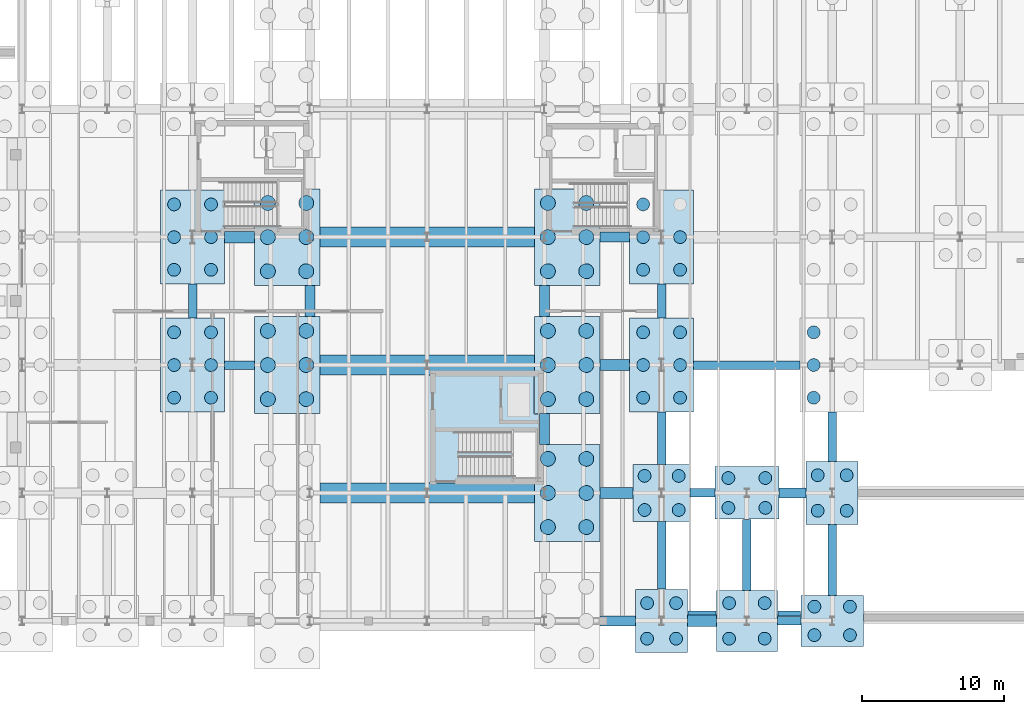
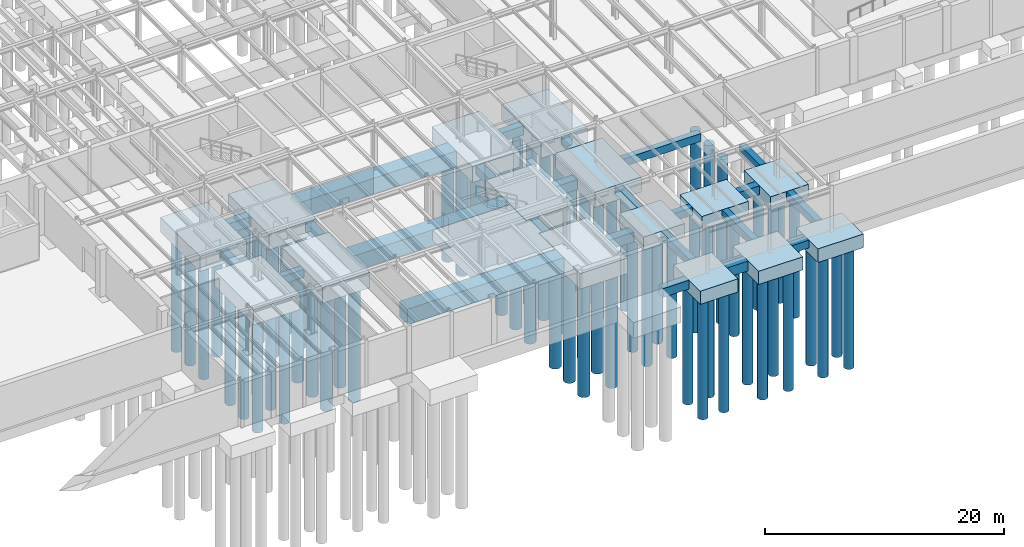
# One storey, part 3 of 59: 80 piles, 42 footings.
"""IFC4 building model written with IfcOpenShell, lengths in metres."""

import ifcopenshell
import ifcopenshell.guid

model = None  # the IFC model being written
_history = None  # IfcOwnerHistory: only IFC2X3 demands one
_inside = {}  # id of a spatial element -> (the spatial element, [elements in it])
_under = {}  # id of a project, library or spatial element -> (it, [spatial elements below it])
_declared = {}  # id of a project -> (the project, [libraries it declares])
_typed = {}  # id of a type object -> (the type object, [elements of that type])
_made_of = {}  # id of a material, layer set ... -> (it, [elements and type objects made of it])


def new_model(schema):
    """Start an empty IFC model of exactly this schema.

    Asked for "IFC4X3", IfcOpenShell would pick the latest addendum, in which some entities
    have other attributes; the version numbers below select the first issue.
    IFC2X3 requires an IfcOwnerHistory on every rooted entity: one is made here for all.
    """
    global model, _history
    if schema == "IFC4X3":
        model = ifcopenshell.file(schema_version=(4, 3, 0, 0))
    else:
        model = ifcopenshell.file(schema=schema)
    _inside.clear()
    _under.clear()
    _declared.clear()
    _typed.clear()
    _made_of.clear()
    _history = None
    if model.schema == "IFC2X3":
        org = make("IfcOrganization", Name="unknown")
        user = make(
            "IfcPersonAndOrganization",
            ThePerson=make("IfcPerson", FamilyName="unknown"),
            TheOrganization=org,
        )
        app = make(
            "IfcApplication",
            ApplicationDeveloper=org,
            Version="unknown",
            ApplicationFullName="unknown",
            ApplicationIdentifier="unknown",
        )
        _history = make(
            "IfcOwnerHistory",
            OwningUser=user,
            OwningApplication=app,
            ChangeAction="ADDED",
            CreationDate=0,
        )
    return model


def make(cls, **values):
    """One entity of the class cls with the attributes given. An attribute that is None is left unset."""
    return model.create_entity(
        cls, **{name: value for name, value in values.items() if value is not None}
    )


def rooted(cls, **values):
    """An entity with a GlobalId (a new one), such as an element, a storey or a relation."""
    return make(cls, GlobalId=ifcopenshell.guid.new(), OwnerHistory=_history, **values)


def si_unit(unit_type, name, prefix=None):
    """IfcSIUnit, for example si_unit("LENGTHUNIT", "METRE", prefix="MILLI")."""
    return make("IfcSIUnit", UnitType=unit_type, Prefix=prefix, Name=name)


def assignment(units):
    """IfcUnitAssignment: the units of a project."""
    return None if units is None else make("IfcUnitAssignment", Units=units)


def point(xyz):
    """IfcCartesianPoint."""
    return None if xyz is None else make("IfcCartesianPoint", Coordinates=xyz)


def direction(xyz):
    """IfcDirection."""
    return None if xyz is None else make("IfcDirection", DirectionRatios=xyz)


def frame(location, z_axis=None, x_axis=None):
    """IfcAxis2Placement3D, a coordinate frame: its origin and axes. An axis left out is left unset."""
    return make(
        "IfcAxis2Placement3D",
        Location=point(location),
        Axis=direction(z_axis),
        RefDirection=direction(x_axis),
    )


def frame_2d(location, x_axis=None):
    """IfcAxis2Placement2D, a coordinate frame in the plane: its origin and x axis."""
    return make(
        "IfcAxis2Placement2D", Location=point(location), RefDirection=direction(x_axis)
    )


def origin():
    """The frame at (0, 0, 0) with its axes left unset."""
    return frame((0.0, 0.0, 0.0))


def origin_2d():
    """The frame at (0, 0) in the plane with its x axis left unset."""
    return frame_2d((0.0, 0.0))


def place(relative_to, where):
    """IfcLocalPlacement: puts the frame where relative to a parent placement (None: the world)."""
    return make(
        "IfcLocalPlacement", PlacementRelTo=relative_to, RelativePlacement=where
    )


def context(
    kind, dimensions, precision=None, world=None, true_north=None, identifier=None
):
    """IfcGeometricRepresentationContext, for example the 3D "Model" context."""
    return make(
        "IfcGeometricRepresentationContext",
        ContextIdentifier=identifier,
        ContextType=kind,
        CoordinateSpaceDimension=dimensions,
        Precision=precision,
        WorldCoordinateSystem=world,
        TrueNorth=true_north,
    )


def subcontext(parent, identifier, kind, view, scale=None):
    """IfcGeometricRepresentationSubContext, for example "Body" below "Model"."""
    return make(
        "IfcGeometricRepresentationSubContext",
        ContextIdentifier=identifier,
        ContextType=kind,
        ParentContext=parent,
        TargetScale=scale,
        TargetView=view,
    )


def project(units=None, contexts=None):
    """IfcProject with its units and contexts."""
    return rooted(
        "IfcProject",
        Name="project",
        RepresentationContexts=contexts,
        UnitsInContext=assignment(units),
    )


def spatial(cls, under=None, at=None, **own):
    """A site, building, storey or space (cls), placed at a placement, below another one or the project."""
    s = rooted(cls, ObjectPlacement=at, **own)
    if under is not None:
        _under.setdefault(under.id(), (under, []))[1].append(s)
    return s


def polyline(points):
    """IfcPolyline through the points."""
    return make("IfcPolyline", Points=[point(p) for p in points])


def profile(cls, at=None, kind="AREA", **sizes):
    """A parametric profile (cls). Its sizes go by their IFC names, for example OverallWidth=200.0."""
    return make(cls, ProfileType=kind, Position=at, **sizes)


def rectangle(**sizes):
    """IfcRectangleProfileDef."""
    return profile("IfcRectangleProfileDef", **sizes)


def circle(**sizes):
    """IfcCircleProfileDef."""
    return profile("IfcCircleProfileDef", **sizes)


def outline(outer, holes=None, kind="AREA"):
    """IfcArbitraryClosedProfileDef: a profile drawn as a closed curve; with holes, ...WithVoids."""
    if holes is None:
        return make("IfcArbitraryClosedProfileDef", ProfileType=kind, OuterCurve=outer)
    return make(
        "IfcArbitraryProfileDefWithVoids",
        ProfileType=kind,
        OuterCurve=outer,
        InnerCurves=holes,
    )


def extrude(swept, where, along, depth):
    """IfcExtrudedAreaSolid: the profile swept, set in the frame where, extruded along a direction by depth."""
    return make(
        "IfcExtrudedAreaSolid",
        SweptArea=swept,
        Position=where,
        ExtrudedDirection=direction(along),
        Depth=depth,
    )


def shape(context_of_items, identifier, shape_type, items):
    """IfcShapeRepresentation: the items that make up one representation, for example the "Body"."""
    return make(
        "IfcShapeRepresentation",
        ContextOfItems=context_of_items,
        RepresentationIdentifier=identifier,
        RepresentationType=shape_type,
        Items=items,
    )


def material(Name=None, Category=None):
    """IfcMaterial."""
    return make("IfcMaterial", Name=Name, Category=Category)


def material_profile(
    of_material, cross_section, Name=None, Category=None, Priority=None
):
    """IfcMaterialProfile: a cross section and its material."""
    return make(
        "IfcMaterialProfile",
        Name=Name,
        Material=of_material,
        Profile=cross_section,
        Priority=Priority,
        Category=Category,
    )


def profile_set(profiles, Name=None, composite=None):
    """IfcMaterialProfileSet."""
    return make(
        "IfcMaterialProfileSet",
        Name=Name,
        MaterialProfiles=profiles,
        CompositeProfile=composite,
    )


def made_of(thing, what):
    """Note that an element or type object is made of a material, layer set ...; save() writes the relation."""
    if what is not None:
        _made_of.setdefault(what.id(), (what, []))[1].append(thing)
    return thing


def type_object(cls, material=None, **own):
    """A type object (cls), such as IfcWallType, which elements share."""
    return made_of(rooted(cls, **own), material)


def element(
    cls,
    number,
    at=None,
    inside=None,
    cuts=None,
    type_object=None,
    material=None,
    context=None,
    identifier="Body",
    shape_type=None,
    held_by="IfcProductDefinitionShape",
    body=None,
    shapes=None,
    **own,
):
    """One element of the class cls, such as IfcWall. Its Tag is "e" and its number.

    at: its placement. inside: the storey or other place that contains it. cuts: it is an
    opening in that element (IfcRelVoidsElement). A single representation is given by context,
    identifier, shape_type and body (its items); several are given by shapes. held_by: the class
    of the entity that holds the representations. save() writes the other relations.
    """
    e = rooted(cls, Tag="e%d" % number, ObjectPlacement=at, **own)
    if body is not None:
        shapes = [shape(context, identifier, shape_type, body)]
    if shapes is not None:
        e.Representation = make(held_by, Representations=shapes)
    if inside is not None:
        _inside.setdefault(inside.id(), (inside, []))[1].append(e)
    if cuts is not None:
        rooted(
            "IfcRelVoidsElement", RelatingBuildingElement=cuts, RelatedOpeningElement=e
        )
    if type_object is not None:
        _typed.setdefault(type_object.id(), (type_object, []))[1].append(e)
    return made_of(e, material)


def aggregate(whole, parts):
    """IfcRelAggregates: a whole, such as a stair, and the parts it consists of."""
    return rooted("IfcRelAggregates", RelatingObject=whole, RelatedObjects=parts)


def save(model, path):
    """Write the relations noted so far, then the file.

    IfcRelAggregates (storeys below a building ...), IfcRelContainedInSpatialStructure (elements
    in a storey), IfcRelDefinesByType, IfcRelAssociatesMaterial and IfcRelDeclares: one each for
    every whole, place, type object, material and project.
    """
    for whole, parts in _under.values():
        aggregate(whole, parts)
    for where, things in _inside.values():
        rooted(
            "IfcRelContainedInSpatialStructure",
            RelatedElements=things,
            RelatingStructure=where,
        )
    for kind, things in _typed.values():
        rooted("IfcRelDefinesByType", RelatedObjects=things, RelatingType=kind)
    for what, things in _made_of.values():
        rooted("IfcRelAssociatesMaterial", RelatedObjects=things, RelatingMaterial=what)
    for by, libraries in _declared.values():
        rooted("IfcRelDeclares", RelatingContext=by, RelatedDefinitions=libraries)
    model.write(path)


model = new_model("IFC4")

# Units and contexts
model_context = context("Model", 3, precision=1e-05, world=origin(), true_north=direction((0.0, 1.0)))
body_context = subcontext(model_context, "Body", "Model", "MODEL_VIEW")
ifc_project = project(units=[si_unit("LENGTHUNIT", "METRE"), si_unit("AREAUNIT", "SQUARE_METRE"), si_unit("VOLUMEUNIT", "CUBIC_METRE"), si_unit("PLANEANGLEUNIT", "RADIAN"), si_unit("MASSUNIT", "GRAM", prefix="KILO")], contexts=[model_context])

# Site, building, storey
site_placement = place(None, origin())
site = spatial("IfcSite", under=ifc_project, at=site_placement, CompositionType="ELEMENT")
building_placement = place(site_placement, origin())
building = spatial("IfcBuilding", under=site, at=building_placement, Name="Montealbar Specialist Clinic", CompositionType="ELEMENT")
storey_placement = place(building_placement, frame((0.0, 0.0, -4.800048828125)))
storey = spatial("IfcBuildingStorey", under=building, at=storey_placement, Name="B01", CompositionType="ELEMENT", Elevation=-4.800048828125)

# Footings
ifc_material = material(Name="Concrete C35/45", Category="concrete")
footing_type_1 = type_object("IfcFootingType", Name="FB-METRO-1400x1600", PredefinedType="FOOTING_BEAM", material=ifc_material)
footing_1_placement = place(storey_placement, frame((0.0, 0.0, -2.050048828125)))
element("IfcFooting", 1, at=footing_1_placement, inside=storey, type_object=footing_type_1, Name="Foundation Ground Beam FBX-750-900-90", PredefinedType="FOOTING_BEAM", context=body_context, shape_type="SweptSolid", body=[
    extrude(outline(polyline([(74.949951171875, 8.300048828125), (90.050048828125, 8.300048828125), (90.050048828125, 9.699951171875), (74.949951171875, 9.699951171875), (74.949951171875, 8.300048828125)])), origin(), (0.0, 0.0, 1.0), 1.60009765625),
])
footing_2_placement = place(storey_placement, frame((0.0, 0.0, -2.050048828125)))
element("IfcFooting", 2, at=footing_2_placement, inside=storey, type_object=footing_type_1, Name="Foundation Ground Beam FBX-750-900-180", PredefinedType="FOOTING_BEAM", context=body_context, shape_type="SweptSolid", body=[
    extrude(outline(polyline([(74.949951171875, 17.300048828125), (90.050048828125, 17.300048828125), (90.050048828125, 18.699951171875), (74.949951171875, 18.699951171875), (74.949951171875, 17.300048828125)])), origin(), (0.0, 0.0, 1.0), 1.60009765625),
])
footing_3_placement = place(storey_placement, frame((0.0, 0.0, -2.050048828125)))
element("IfcFooting", 3, at=footing_3_placement, inside=storey, type_object=footing_type_1, Name="Foundation Ground Beam FBX-750-900-270", PredefinedType="FOOTING_BEAM", context=body_context, shape_type="SweptSolid", body=[
    extrude(outline(polyline([(74.949951171875, 26.300048828125), (90.050048828125, 26.300048828125), (90.050048828125, 27.699951171875), (74.949951171875, 27.699951171875), (74.949951171875, 26.300048828125)])), origin(), (0.0, 0.0, 1.0), 1.60009765625),
])
footing_type_2 = type_object("IfcFootingType", Name="FB-TIE-600x800", PredefinedType="FOOTING_BEAM", material=ifc_material)
footing_4_placement = place(storey_placement, frame((0.0, 0.0, -0.800048828125)))
element("IfcFooting", 4, at=footing_4_placement, inside=storey, type_object=footing_type_2, Name="Foundation Ground Beam FBX-1072-1088-0", PredefinedType="FOOTING_BEAM", context=body_context, shape_type="SweptSolid", body=[
    extrude(outline(polyline([(107.14990234375, -0.300048828125), (108.800048828125, -0.300048828125), (108.800048828125, 0.300048828125), (107.14990234375, 0.300048828125), (107.14990234375, -0.300048828125)])), origin(), (0.0, 0.0, 1.0), 0.800048828125),
])
footing_5_placement = place(storey_placement, frame((0.0, 0.0, -0.800048828125)))
element("IfcFooting", 5, at=footing_5_placement, inside=storey, type_object=footing_type_2, Name="Foundation Ground Beam FBX-1010-1028-90", PredefinedType="FOOTING_BEAM", context=body_context, shape_type="SweptSolid", body=[
    extrude(outline(polyline([(101.0, 8.699951171875), (102.75, 8.699951171875), (102.75, 9.300048828125), (101.0, 9.300048828125), (101.0, 8.699951171875)])), origin(), (0.0, 0.0, 1.0), 0.800048828125),
])
footing_6_placement = place(storey_placement, frame((0.0, 0.0, -1.25)))
element("IfcFooting", 6, at=footing_6_placement, inside=storey, type_object=footing_type_2, Name="Foundation Ground Beam FBX-682-704-180", PredefinedType="FOOTING_BEAM", context=body_context, shape_type="SweptSolid", body=[
    extrude(outline(polyline([(68.25, 17.699951171875), (70.35009765625, 17.699951171875), (70.35009765625, 18.300048828125), (68.25, 18.300048828125), (68.25, 17.699951171875)])), origin(), (0.0, 0.0, 1.0), 0.800048828125),
])
footing_7_placement = place(storey_placement, frame((0.0, 0.0, -0.800048828125)))
element("IfcFooting", 7, at=footing_7_placement, inside=storey, type_object=footing_type_2, Name="Foundation Ground Beam FBX-1012-1088-180", PredefinedType="FOOTING_BEAM", context=body_context, shape_type="SweptSolid", body=[
    extrude(outline(polyline([(101.25, 17.699951171875), (108.75, 17.699951171875), (108.75, 18.300048828125), (101.25, 18.300048828125), (101.25, 17.699951171875)])), origin(), (0.0, 0.0, 1.0), 0.800048828125),
])
footing_8_placement = place(storey_placement, frame((0.0, 0.0, -1.25)))
element("IfcFooting", 8, at=footing_8_placement, inside=storey, type_object=footing_type_2, Name="Foundation Tie Beam FBY-660-213-237", PredefinedType="FOOTING_BEAM", context=body_context, shape_type="SweptSolid", body=[
    extrude(outline(polyline([(65.699951171875, 21.300048828125), (66.300048828125, 21.300048828125), (66.300048828125, 23.699951171875), (65.699951171875, 23.699951171875), (65.699951171875, 21.300048828125)])), origin(), (0.0, 0.0, 1.0), 0.800048828125),
])
footing_9_placement = place(storey_placement, frame((0.0, 0.0, -0.800048828125)))
element("IfcFooting", 9, at=footing_9_placement, inside=storey, type_object=footing_type_2, Name="Foundation Tie Beam FBY-990-22-70", PredefinedType="FOOTING_BEAM", context=body_context, shape_type="SweptSolid", body=[
    extrude(outline(polyline([(98.699951171875, 2.22509765625), (99.300048828125, 2.22509765625), (99.300048828125, 7.0), (98.699951171875, 7.0), (98.699951171875, 2.22509765625)])), origin(), (0.0, 0.0, 1.0), 0.800048828125),
])
footing_10_placement = place(storey_placement, frame((0.0, 0.0, -0.800048828125)))
element("IfcFooting", 10, at=footing_10_placement, inside=storey, type_object=footing_type_2, Name="Foundation Tie Beam FBY-990-110-147", PredefinedType="FOOTING_BEAM", context=body_context, shape_type="SweptSolid", body=[
    extrude(outline(polyline([(98.699951171875, 11.0), (99.300048828125, 11.0), (99.300048828125, 14.699951171875), (98.699951171875, 14.699951171875), (98.699951171875, 11.0)])), origin(), (0.0, 0.0, 1.0), 0.800048828125),
])
footing_11_placement = place(storey_placement, frame((0.0, 0.0, -1.25)))
element("IfcFooting", 11, at=footing_11_placement, inside=storey, type_object=footing_type_2, Name="Foundation Tie Beam FBY-990-213-237", PredefinedType="FOOTING_BEAM", context=body_context, shape_type="SweptSolid", body=[
    extrude(outline(polyline([(98.699951171875, 21.300048828125), (99.300048828125, 21.300048828125), (99.300048828125, 23.699951171875), (98.699951171875, 23.699951171875), (98.699951171875, 21.300048828125)])), origin(), (0.0, 0.0, 1.0), 0.800048828125),
])
footing_12_placement = place(storey_placement, frame((0.0, 0.0, -0.800048828125)))
element("IfcFooting", 12, at=footing_12_placement, inside=storey, type_object=footing_type_2, Name="Foundation Tie Beam FBY-1050-22-72", PredefinedType="FOOTING_BEAM", context=body_context, shape_type="SweptSolid", body=[
    extrude(outline(polyline([(104.699951171875, 2.14990234375), (105.300048828125, 2.14990234375), (105.300048828125, 7.14990234375), (104.699951171875, 7.14990234375), (104.699951171875, 2.14990234375)])), origin(), (0.0, 0.0, 1.0), 0.800048828125),
])
footing_13_placement = place(storey_placement, frame((0.0, 0.0, -0.800048828125)))
element("IfcFooting", 13, at=footing_13_placement, inside=storey, type_object=footing_type_2, Name="Foundation Tie Beam FBY-1110-18-68", PredefinedType="FOOTING_BEAM", context=body_context, shape_type="SweptSolid", body=[
    extrude(outline(polyline([(110.699951171875, 1.800048828125), (111.300048828125, 1.800048828125), (111.300048828125, 6.77490234375), (110.699951171875, 6.77490234375), (110.699951171875, 1.800048828125)])), origin(), (0.0, 0.0, 1.0), 0.800048828125),
])
footing_14_placement = place(storey_placement, frame((0.0, 0.0, -0.800048828125)))
element("IfcFooting", 14, at=footing_14_placement, inside=storey, type_object=footing_type_2, Name="Foundation Tie Beam FBY-1110-112-147", PredefinedType="FOOTING_BEAM", context=body_context, shape_type="SweptSolid", body=[
    extrude(outline(polyline([(110.699951171875, 11.22509765625), (111.300048828125, 11.22509765625), (111.300048828125, 14.699951171875), (110.699951171875, 14.699951171875), (110.699951171875, 11.22509765625)])), origin(), (0.0, 0.0, 1.0), 0.800048828125),
])
footing_type_3 = type_object("IfcFootingType", Name="FB-TIE-700x900", PredefinedType="FOOTING_BEAM", material=ifc_material)
footing_15_placement = place(storey_placement, frame((0.0, 0.0, -0.89990234375)))
element("IfcFooting", 15, at=footing_15_placement, inside=storey, type_object=footing_type_3, Name="Foundation Ground Beam FBX-946-972-0", PredefinedType="FOOTING_BEAM", context=body_context, shape_type="SweptSolid", body=[
    extrude(outline(polyline([(94.64990234375, -0.35009765625), (97.175048828125, -0.35009765625), (97.175048828125, 0.35009765625), (94.64990234375, 0.35009765625), (94.64990234375, -0.35009765625)])), origin(), (0.0, 0.0, 1.0), 0.89990234375),
])
footing_16_placement = place(storey_placement, frame((0.0, 0.0, -0.89990234375)))
element("IfcFooting", 16, at=footing_16_placement, inside=storey, type_object=footing_type_3, Name="Foundation Ground Beam FBX-1072-1092-90", PredefinedType="FOOTING_BEAM", context=body_context, shape_type="SweptSolid", body=[
    extrude(outline(polyline([(107.25, 8.64990234375), (109.175048828125, 8.64990234375), (109.175048828125, 9.35009765625), (107.25, 9.35009765625), (107.25, 8.64990234375)])), origin(), (0.0, 0.0, 1.0), 0.89990234375),
])
footing_17_placement = place(storey_placement, frame((0.0, 0.0, -1.349853515625)))
element("IfcFooting", 17, at=footing_17_placement, inside=storey, type_object=footing_type_3, Name="Foundation Ground Beam FBX-946-968-270", PredefinedType="FOOTING_BEAM", context=body_context, shape_type="SweptSolid", body=[
    extrude(outline(polyline([(94.64990234375, 26.64990234375), (96.75, 26.64990234375), (96.75, 27.35009765625), (94.64990234375, 27.35009765625), (94.64990234375, 26.64990234375)])), origin(), (0.0, 0.0, 1.0), 0.89990234375),
])
footing_18_placement = place(storey_placement, frame((0.0, 0.0, -1.349853515625)))
element("IfcFooting", 18, at=footing_18_placement, inside=storey, type_object=footing_type_3, Name="Foundation Tie Beam FBY-742-214-236", PredefinedType="FOOTING_BEAM", context=body_context, shape_type="SweptSolid", body=[
    extrude(outline(polyline([(73.89990234375, 21.39990234375), (74.60009765625, 21.39990234375), (74.60009765625, 23.60009765625), (73.89990234375, 23.60009765625), (73.89990234375, 21.39990234375)])), origin(), (0.0, 0.0, 1.0), 0.89990234375),
])
footing_19_placement = place(storey_placement, frame((0.0, 0.0, -1.349853515625)))
element("IfcFooting", 19, at=footing_19_placement, inside=storey, type_object=footing_type_3, Name="Foundation Tie Beam FBY-908-124-146", PredefinedType="FOOTING_BEAM", context=body_context, shape_type="SweptSolid", body=[
    extrude(outline(polyline([(90.39990234375, 12.39990234375), (91.10009765625, 12.39990234375), (91.10009765625, 14.60009765625), (90.39990234375, 14.60009765625), (90.39990234375, 12.39990234375)])), origin(), (0.0, 0.0, 1.0), 0.89990234375),
])
footing_20_placement = place(storey_placement, frame((0.0, 0.0, -1.349853515625)))
element("IfcFooting", 20, at=footing_20_placement, inside=storey, type_object=footing_type_3, Name="Foundation Tie Beam FBY-908-214-236", PredefinedType="FOOTING_BEAM", context=body_context, shape_type="SweptSolid", body=[
    extrude(outline(polyline([(90.39990234375, 21.39990234375), (91.10009765625, 21.39990234375), (91.10009765625, 23.60009765625), (90.39990234375, 23.60009765625), (90.39990234375, 21.39990234375)])), origin(), (0.0, 0.0, 1.0), 0.89990234375),
])
footing_type_4 = type_object("IfcFootingType", Name="FB-TIE-800x1000", PredefinedType="FOOTING_BEAM", material=ifc_material)
footing_21_placement = place(storey_placement, frame((0.0, 0.0, -1.0)))
element("IfcFooting", 21, at=footing_21_placement, inside=storey, type_object=footing_type_4, Name="Foundation Ground Beam FBX-1008-1028-0", PredefinedType="FOOTING_BEAM", context=body_context, shape_type="SweptSolid", body=[
    extrude(outline(polyline([(100.824951171875, -0.39990234375), (102.85009765625, -0.39990234375), (102.85009765625, 0.39990234375), (100.824951171875, 0.39990234375), (100.824951171875, -0.39990234375)])), origin(), (0.0, 0.0, 1.0), 1.0),
])
footing_22_placement = place(storey_placement, frame((0.0, 0.0, -1.449951171875)))
element("IfcFooting", 22, at=footing_22_placement, inside=storey, type_object=footing_type_4, Name="Foundation Ground Beam FBX-946-970-90", PredefinedType="FOOTING_BEAM", context=body_context, shape_type="SweptSolid", body=[
    extrude(outline(polyline([(94.64990234375, 8.60009765625), (97.0, 8.60009765625), (97.0, 9.39990234375), (94.64990234375, 9.39990234375), (94.64990234375, 8.60009765625)])), origin(), (0.0, 0.0, 1.0), 1.0),
])
footing_23_placement = place(storey_placement, frame((0.0, 0.0, -1.449951171875)))
element("IfcFooting", 23, at=footing_23_placement, inside=storey, type_object=footing_type_4, Name="Foundation Ground Beam FBX-946-968-180", PredefinedType="FOOTING_BEAM", context=body_context, shape_type="SweptSolid", body=[
    extrude(outline(polyline([(94.64990234375, 17.60009765625), (96.75, 17.60009765625), (96.75, 18.39990234375), (94.64990234375, 18.39990234375), (94.64990234375, 17.60009765625)])), origin(), (0.0, 0.0, 1.0), 1.0),
])
footing_24_placement = place(storey_placement, frame((0.0, 0.0, -1.449951171875)))
element("IfcFooting", 24, at=footing_24_placement, inside=storey, type_object=footing_type_4, Name="Foundation Ground Beam FBX-682-704-270", PredefinedType="FOOTING_BEAM", context=body_context, shape_type="SweptSolid", body=[
    extrude(outline(polyline([(68.25, 26.60009765625), (70.35009765625, 26.60009765625), (70.35009765625, 27.39990234375), (68.25, 27.39990234375), (68.25, 26.60009765625)])), origin(), (0.0, 0.0, 1.0), 1.0),
])
footing_type_5 = type_object("IfcFootingType", Name="FT-CORE-STRIP", PredefinedType="STRIP_FOOTING", material=ifc_material)
footing_25_placement = place(storey_placement, frame((0.0, 0.0, -1.050048828125)))
element("IfcFooting", 25, at=footing_25_placement, inside=storey, type_object=footing_type_5, Name="Strip Footing FT-PLINTH-SE-S1-1", PredefinedType="STRIP_FOOTING", context=body_context, shape_type="SweptSolid", body=[
    extrude(outline(polyline([(102.820068359375, 0.429931640625), (100.85498046875, 0.429931640625), (100.85498046875, 0.699951171875), (102.820068359375, 0.699951171875), (102.820068359375, 0.429931640625)])), origin(), (0.0, 0.0, 1.0), 1.050048828125),
])
footing_26_placement = place(storey_placement, frame((0.0, 0.0, -1.050048828125)))
element("IfcFooting", 26, at=footing_26_placement, inside=storey, type_object=footing_type_5, Name="Strip Footing FT-PLINTH-SE-S1-2", PredefinedType="STRIP_FOOTING", context=body_context, shape_type="SweptSolid", body=[
    extrude(outline(polyline([(108.77001953125, 0.699951171875), (108.77001953125, 0.330078125), (107.179931640625, 0.330078125), (107.179931640625, 0.699951171875), (108.77001953125, 0.699951171875)])), origin(), (0.0, 0.0, 1.0), 1.050048828125),
])
footing_27_placement = place(storey_placement, frame((0.0, 0.0, -1.5)))
element("IfcFooting", 27, at=footing_27_placement, inside=storey, type_object=footing_type_5, Name="Strip Footing FT-CORE-C4-1", PredefinedType="STRIP_FOOTING", context=body_context, shape_type="SweptSolid", body=[
    extrude(outline(polyline([(82.550048828125, 9.72998046875), (82.550048828125, 17.27001953125), (90.02001953125, 17.27001953125), (90.02001953125, 14.570068359375), (90.3701171875, 14.570068359375), (90.3701171875, 12.429931640625), (90.02001953125, 12.429931640625), (90.02001953125, 9.72998046875), (82.550048828125, 9.72998046875)])), origin(), (0.0, 0.0, 1.0), 1.050048828125),
])
footing_type_6 = type_object("IfcFootingType", Name="PC-4C", PredefinedType="PILE_CAP", material=ifc_material)
footing_28_placement = place(storey_placement, frame((99.0, 9.0, -1.2998046875), z_axis=(0.0, 0.0, 1.0), x_axis=(1.0, 0.0, 0.0)))
element("IfcFooting", 28, at=footing_28_placement, inside=storey, type_object=footing_type_6, Name="Pile Cap 13/B", PredefinedType="PILE_CAP", context=body_context, shape_type="SweptSolid", body=[
    extrude(rectangle(XDim=4.0, YDim=4.0, at=origin_2d()), origin(), (0.0, 0.0, 1.0), 1.300048828125),
])
footing_type_7 = type_object("IfcFootingType", Name="PC-4F", PredefinedType="PILE_CAP", material=ifc_material)
footing_29_placement = place(storey_placement, frame((105.0, 0.0, -1.35009765625), z_axis=(0.0, 0.0, 1.0), x_axis=(1.0, 0.0, 0.0)))
element("IfcFooting", 29, at=footing_29_placement, inside=storey, type_object=footing_type_7, Name="Pile Cap 14/A", PredefinedType="PILE_CAP", context=body_context, shape_type="SweptSolid", body=[
    extrude(rectangle(XDim=4.300048828125, YDim=4.300048828125, at=origin_2d()), origin(), (0.0, 0.0, 1.0), 1.35009765625),
])
footing_type_8 = type_object("IfcFootingType", Name="PC-4G", PredefinedType="PILE_CAP", material=ifc_material)
footing_30_placement = place(storey_placement, frame((105.0, 9.0, -1.35009765625), z_axis=(0.0, 0.0, 1.0), x_axis=(1.0, 0.0, 0.0)))
element("IfcFooting", 30, at=footing_30_placement, inside=storey, type_object=footing_type_8, Name="Pile Cap 14/B", PredefinedType="PILE_CAP", context=body_context, shape_type="SweptSolid", body=[
    extrude(rectangle(XDim=4.5, YDim=3.699951171875, at=origin_2d()), origin(), (0.0, 0.0, 1.0), 1.35009765625),
])
footing_type_9 = type_object("IfcFootingType", Name="PC-4J", PredefinedType="PILE_CAP", material=ifc_material)
footing_31_placement = place(storey_placement, frame((111.0, 0.0, -1.39990234375), z_axis=(0.0, 0.0, 1.0), x_axis=(1.0, 0.0, 0.0)))
element("IfcFooting", 31, at=footing_31_placement, inside=storey, type_object=footing_type_9, Name="Pile Cap 15/A", PredefinedType="PILE_CAP", context=body_context, shape_type="SweptSolid", body=[
    extrude(rectangle(XDim=4.39990234375, YDim=3.60009765625, at=origin_2d()), origin(), (0.0, 0.0, 1.0), 1.39990234375),
])
footing_type_10 = type_object("IfcFootingType", Name="PC-4K", PredefinedType="PILE_CAP", material=ifc_material)
for number, where, z_axis, x_axis, name in (
    (32, (99.0, 0.0, -1.35009765625), (0.0, 0.0, 1.0), (1.0, 0.0, 0.0), "Pile Cap 13/A"),
    (33, (111.0, 9.0, -1.35009765625), (0.0, 0.0, 1.0), (1.0, 0.0, 0.0), "Pile Cap 15/B"),
):
    element("IfcFooting", number, at=place(storey_placement, frame(where, z_axis=z_axis, x_axis=x_axis)), inside=storey, type_object=footing_type_10, Name=name, PredefinedType="PILE_CAP", context=body_context, shape_type="SweptSolid", body=[
        extrude(rectangle(XDim=3.64990234375, YDim=4.449951171875, at=origin_2d()), origin(), (0.0, 0.0, 1.0), 1.35009765625),
    ])
footing_type_11 = type_object("IfcFootingType", Name="PC-6C", PredefinedType="PILE_CAP", material=ifc_material)
for number, where, z_axis, x_axis, name in (
    (34, (72.64990234375, 18.0, -2.050048828125), (0.0, 0.0, 1.0), (1.0, 0.0, 0.0), "Pile Cap 10/C"),
    (35, (72.64990234375, 27.0, -2.050048828125), (0.0, 0.0, 1.0), (1.0, 0.0, 0.0), "Pile Cap 10/D"),
    (36, (92.35009765625, 9.0, -2.050048828125), (0.0, 0.0, 1.0), (1.0, 0.0, 0.0), "Pile Cap 12/B"),
    (37, (92.35009765625, 18.0, -2.050048828125), (0.0, 0.0, 1.0), (1.0, 0.0, 0.0), "Pile Cap 12/C"),
    (38, (92.35009765625, 27.0, -2.050048828125), (0.0, 0.0, 1.0), (1.0, 0.0, 0.0), "Pile Cap 12/D"),
):
    element("IfcFooting", number, at=place(storey_placement, frame(where, z_axis=z_axis, x_axis=x_axis)), inside=storey, type_object=footing_type_11, Name=name, PredefinedType="PILE_CAP", context=body_context, shape_type="SweptSolid", body=[
        extrude(rectangle(XDim=4.60009765625, YDim=6.800048828125, at=origin_2d()), origin(), (0.0, 0.0, 1.0), 1.60009765625),
    ])
footing_type_12 = type_object("IfcFootingType", Name="PC-6D", PredefinedType="PILE_CAP", material=ifc_material)
for number, where, z_axis, x_axis, name in (
    (39, (66.0, 18.0, -2.0), (0.0, 0.0, 1.0), (1.0, 0.0, 0.0), "Pile Cap 9/C"),
    (40, (66.0, 27.0, -2.0), (0.0, 0.0, 1.0), (1.0, 0.0, 0.0), "Pile Cap 9/D"),
    (41, (99.0, 18.0, -1.5498046875), (0.0, 0.0, 1.0), (1.0, 0.0, 0.0), "Pile Cap 13/C"),
    (42, (99.0, 27.0, -2.0), (0.0, 0.0, 1.0), (1.0, 0.0, 0.0), "Pile Cap 13/D"),
):
    element("IfcFooting", number, at=place(storey_placement, frame(where, z_axis=z_axis, x_axis=x_axis)), inside=storey, type_object=footing_type_12, Name=name, PredefinedType="PILE_CAP", context=body_context, shape_type="SweptSolid", body=[
        extrude(rectangle(XDim=4.5, YDim=6.60009765625, at=origin_2d()), origin(), (0.0, 0.0, 1.0), 1.550048828125),
    ])

# Piles
ifc_material_profile_1 = material_profile(ifc_material, circle(Radius=0.52490234375, at=origin_2d()), Name="PILE D1050", Category="concrete")
ifc_profile_set_1 = profile_set([ifc_material_profile_1], Name="Concrete C35/45")
pile_type_1 = type_object("IfcPileType", Name="PILE-D1050", PredefinedType="BORED", material=ifc_profile_set_1)
for number, where, z_axis, x_axis, name in (
    (43, (71.300048828125, 15.60009765625, -1.949951171875), (0.0, 0.0, -1.0), (1.0, 0.0, 0.0), "Bored Pile 10/C-P1"),
    (44, (74.0, 15.60009765625, -1.949951171875), (0.0, 0.0, -1.0), (1.0, 0.0, 0.0), "Bored Pile 10/C-P2"),
    (45, (71.300048828125, 18.0, -1.949951171875), (0.0, 0.0, -1.0), (1.0, 0.0, 0.0), "Bored Pile 10/C-P3"),
    (46, (74.0, 18.0, -1.949951171875), (0.0, 0.0, -1.0), (1.0, 0.0, 0.0), "Bored Pile 10/C-P4"),
    (47, (71.300048828125, 20.39990234375, -1.949951171875), (0.0, 0.0, -1.0), (1.0, 0.0, 0.0), "Bored Pile 10/C-P5"),
    (48, (74.0, 20.39990234375, -1.949951171875), (0.0, 0.0, -1.0), (1.0, 0.0, 0.0), "Bored Pile 10/C-P6"),
    (49, (71.300048828125, 24.60009765625, -1.949951171875), (0.0, 0.0, -1.0), (1.0, 0.0, 0.0), "Bored Pile 10/D-P1"),
    (50, (74.0, 24.60009765625, -1.949951171875), (0.0, 0.0, -1.0), (1.0, 0.0, 0.0), "Bored Pile 10/D-P2"),
    (51, (71.300048828125, 27.0, -1.949951171875), (0.0, 0.0, -1.0), (1.0, 0.0, 0.0), "Bored Pile 10/D-P3"),
    (52, (74.0, 27.0, -1.949951171875), (0.0, 0.0, -1.0), (1.0, 0.0, 0.0), "Bored Pile 10/D-P4"),
    (53, (71.300048828125, 29.39990234375, -1.949951171875), (0.0, 0.0, -1.0), (1.0, 0.0, 0.0), "Bored Pile 10/D-P5"),
    (54, (74.0, 29.39990234375, -1.949951171875), (0.0, 0.0, -1.0), (1.0, 0.0, 0.0), "Bored Pile 10/D-P6"),
    (55, (91.0, 6.60009765625, -1.949951171875), (0.0, 0.0, -1.0), (1.0, 0.0, 0.0), "Bored Pile 12/B-P1"),
    (56, (93.699951171875, 6.60009765625, -1.949951171875), (0.0, 0.0, -1.0), (1.0, 0.0, 0.0), "Bored Pile 12/B-P2"),
    (57, (91.0, 9.0, -1.949951171875), (0.0, 0.0, -1.0), (1.0, 0.0, 0.0), "Bored Pile 12/B-P3"),
    (58, (93.699951171875, 9.0, -1.949951171875), (0.0, 0.0, -1.0), (1.0, 0.0, 0.0), "Bored Pile 12/B-P4"),
    (59, (91.0, 11.39990234375, -1.949951171875), (0.0, 0.0, -1.0), (1.0, 0.0, 0.0), "Bored Pile 12/B-P5"),
    (60, (93.699951171875, 11.39990234375, -1.949951171875), (0.0, 0.0, -1.0), (1.0, 0.0, 0.0), "Bored Pile 12/B-P6"),
    (61, (91.0, 15.60009765625, -1.949951171875), (0.0, 0.0, -1.0), (1.0, 0.0, 0.0), "Bored Pile 12/C-P1"),
    (62, (93.699951171875, 15.60009765625, -1.949951171875), (0.0, 0.0, -1.0), (1.0, 0.0, 0.0), "Bored Pile 12/C-P2"),
    (63, (91.0, 18.0, -1.949951171875), (0.0, 0.0, -1.0), (1.0, 0.0, 0.0), "Bored Pile 12/C-P3"),
    (64, (93.699951171875, 18.0, -1.949951171875), (0.0, 0.0, -1.0), (1.0, 0.0, 0.0), "Bored Pile 12/C-P4"),
    (65, (91.0, 20.39990234375, -1.949951171875), (0.0, 0.0, -1.0), (1.0, 0.0, 0.0), "Bored Pile 12/C-P5"),
    (66, (93.699951171875, 20.39990234375, -1.949951171875), (0.0, 0.0, -1.0), (1.0, 0.0, 0.0), "Bored Pile 12/C-P6"),
    (67, (91.0, 24.60009765625, -1.949951171875), (0.0, 0.0, -1.0), (1.0, 0.0, 0.0), "Bored Pile 12/D-P1"),
    (68, (93.699951171875, 24.60009765625, -1.949951171875), (0.0, 0.0, -1.0), (1.0, 0.0, 0.0), "Bored Pile 12/D-P2"),
    (69, (91.0, 27.0, -1.949951171875), (0.0, 0.0, -1.0), (1.0, 0.0, 0.0), "Bored Pile 12/D-P3"),
    (70, (93.699951171875, 27.0, -1.949951171875), (0.0, 0.0, -1.0), (1.0, 0.0, 0.0), "Bored Pile 12/D-P4"),
    (71, (91.0, 29.39990234375, -1.949951171875), (0.0, 0.0, -1.0), (1.0, 0.0, 0.0), "Bored Pile 12/D-P5"),
    (72, (93.699951171875, 29.39990234375, -1.949951171875), (0.0, 0.0, -1.0), (1.0, 0.0, 0.0), "Bored Pile 12/D-P6"),
):
    element("IfcPile", number, at=place(storey_placement, frame(where, z_axis=z_axis, x_axis=x_axis)), inside=storey, type_object=pile_type_1, Name=name, PredefinedType="BORED", context=body_context, shape_type="SweptSolid", body=[
        extrude(circle(Radius=0.52490234375, at=origin_2d()), origin(), (0.0, 0.0, 1.0), 11.75),
    ])
ifc_material_profile_2 = material_profile(ifc_material, circle(Radius=0.449951171875, at=origin_2d()), Name="PILE D900", Category="concrete")
ifc_profile_set_2 = profile_set([ifc_material_profile_2], Name="Concrete C35/45")
pile_type_2 = type_object("IfcPileType", Name="PILE-D900", PredefinedType="BORED", material=ifc_profile_set_2)
for number, where, z_axis, x_axis, name in (
    (73, (64.699951171875, 15.699951171875, -1.89990234375), (0.0, 0.0, -1.0), (1.0, 0.0, 0.0), "Bored Pile 9/C-P1"),
    (74, (67.300048828125, 15.699951171875, -1.89990234375), (0.0, 0.0, -1.0), (1.0, 0.0, 0.0), "Bored Pile 9/C-P2"),
    (75, (64.699951171875, 18.0, -1.89990234375), (0.0, 0.0, -1.0), (1.0, 0.0, 0.0), "Bored Pile 9/C-P3"),
    (76, (67.300048828125, 18.0, -1.89990234375), (0.0, 0.0, -1.0), (1.0, 0.0, 0.0), "Bored Pile 9/C-P4"),
    (77, (64.699951171875, 20.300048828125, -1.89990234375), (0.0, 0.0, -1.0), (1.0, 0.0, 0.0), "Bored Pile 9/C-P5"),
    (78, (67.300048828125, 20.300048828125, -1.89990234375), (0.0, 0.0, -1.0), (1.0, 0.0, 0.0), "Bored Pile 9/C-P6"),
    (79, (64.699951171875, 24.699951171875, -1.89990234375), (0.0, 0.0, -1.0), (1.0, 0.0, 0.0), "Bored Pile 9/D-P1"),
    (80, (67.300048828125, 24.699951171875, -1.89990234375), (0.0, 0.0, -1.0), (1.0, 0.0, 0.0), "Bored Pile 9/D-P2"),
    (81, (64.699951171875, 27.0, -1.89990234375), (0.0, 0.0, -1.0), (1.0, 0.0, 0.0), "Bored Pile 9/D-P3"),
    (82, (67.300048828125, 27.0, -1.89990234375), (0.0, 0.0, -1.0), (1.0, 0.0, 0.0), "Bored Pile 9/D-P4"),
    (83, (64.699951171875, 29.300048828125, -1.89990234375), (0.0, 0.0, -1.0), (1.0, 0.0, 0.0), "Bored Pile 9/D-P5"),
    (84, (67.300048828125, 29.300048828125, -1.89990234375), (0.0, 0.0, -1.0), (1.0, 0.0, 0.0), "Bored Pile 9/D-P6"),
):
    element("IfcPile", number, at=place(storey_placement, frame(where, z_axis=z_axis, x_axis=x_axis)), inside=storey, type_object=pile_type_2, Name=name, PredefinedType="BORED", context=body_context, shape_type="SweptSolid", body=[
        extrude(circle(Radius=0.449951171875, at=origin_2d()), origin(), (0.0, 0.0, 1.0), 11.800048828125),
    ])
for number, where, z_axis, x_axis, name in (
    (85, (97.97998046875, -1.25, -1.25), (0.0, 0.0, -1.0), (1.0, 0.0, 0.0), "Bored Pile 13/A-P1"),
    (86, (100.02001953125, -1.25, -1.25), (0.0, 0.0, -1.0), (1.0, 0.0, 0.0), "Bored Pile 13/A-P2"),
    (87, (97.97998046875, 1.25, -1.25), (0.0, 0.0, -1.0), (1.0, 0.0, 0.0), "Bored Pile 13/A-P3"),
    (88, (100.02001953125, 1.25, -1.25), (0.0, 0.0, -1.0), (1.0, 0.0, 0.0), "Bored Pile 13/A-P4"),
):
    element("IfcPile", number, at=place(storey_placement, frame(where, z_axis=z_axis, x_axis=x_axis)), inside=storey, type_object=pile_type_2, Name=name, PredefinedType="BORED", context=body_context, shape_type="SweptSolid", body=[
        extrude(circle(Radius=0.449951171875, at=origin_2d()), origin(), (0.0, 0.0, 1.0), 12.449951171875),
    ])
for number, where, z_axis, x_axis, name in (
    (89, (97.800048828125, 7.800048828125, -1.199951171875), (0.0, 0.0, -1.0), (1.0, 0.0, 0.0), "Bored Pile 13/B-P1"),
    (90, (100.199951171875, 7.800048828125, -1.199951171875), (0.0, 0.0, -1.0), (1.0, 0.0, 0.0), "Bored Pile 13/B-P2"),
    (91, (97.800048828125, 10.199951171875, -1.199951171875), (0.0, 0.0, -1.0), (1.0, 0.0, 0.0), "Bored Pile 13/B-P3"),
    (92, (100.199951171875, 10.199951171875, -1.199951171875), (0.0, 0.0, -1.0), (1.0, 0.0, 0.0), "Bored Pile 13/B-P4"),
):
    element("IfcPile", number, at=place(storey_placement, frame(where, z_axis=z_axis, x_axis=x_axis)), inside=storey, type_object=pile_type_2, Name=name, PredefinedType="BORED", context=body_context, shape_type="SweptSolid", body=[
        extrude(circle(Radius=0.449951171875, at=origin_2d()), origin(), (0.0, 0.0, 1.0), 12.5),
    ])
for number, where, z_axis, x_axis, name in (
    (93, (97.699951171875, 15.699951171875, -1.449951171875), (0.0, 0.0, -1.0), (1.0, 0.0, 0.0), "Bored Pile 13/C-P1"),
    (94, (100.300048828125, 15.699951171875, -1.449951171875), (0.0, 0.0, -1.0), (1.0, 0.0, 0.0), "Bored Pile 13/C-P2"),
    (95, (97.699951171875, 18.0, -1.449951171875), (0.0, 0.0, -1.0), (1.0, 0.0, 0.0), "Bored Pile 13/C-P3"),
    (96, (100.300048828125, 18.0, -1.449951171875), (0.0, 0.0, -1.0), (1.0, 0.0, 0.0), "Bored Pile 13/C-P4"),
    (97, (97.699951171875, 20.300048828125, -1.449951171875), (0.0, 0.0, -1.0), (1.0, 0.0, 0.0), "Bored Pile 13/C-P5"),
    (98, (100.300048828125, 20.300048828125, -1.449951171875), (0.0, 0.0, -1.0), (1.0, 0.0, 0.0), "Bored Pile 13/C-P6"),
):
    element("IfcPile", number, at=place(storey_placement, frame(where, z_axis=z_axis, x_axis=x_axis)), inside=storey, type_object=pile_type_2, Name=name, PredefinedType="BORED", context=body_context, shape_type="SweptSolid", body=[
        extrude(circle(Radius=0.449951171875, at=origin_2d()), origin(), (0.0, 0.0, 1.0), 12.25),
    ])
for number, where, z_axis, x_axis, name in (
    (99, (97.699951171875, 24.699951171875, -1.89990234375), (0.0, 0.0, -1.0), (1.0, 0.0, 0.0), "Bored Pile 13/D-P1"),
    (100, (100.300048828125, 24.699951171875, -1.89990234375), (0.0, 0.0, -1.0), (1.0, 0.0, 0.0), "Bored Pile 13/D-P2"),
    (101, (97.699951171875, 27.0, -1.89990234375), (0.0, 0.0, -1.0), (1.0, 0.0, 0.0), "Bored Pile 13/D-P3"),
    (102, (100.300048828125, 27.0, -1.89990234375), (0.0, 0.0, -1.0), (1.0, 0.0, 0.0), "Bored Pile 13/D-P4"),
    (103, (97.699951171875, 29.300048828125, -1.89990234375), (0.0, 0.0, -1.0), (1.0, 0.0, 0.0), "Bored Pile 13/D-P5"),
):
    element("IfcPile", number, at=place(storey_placement, frame(where, z_axis=z_axis, x_axis=x_axis)), inside=storey, type_object=pile_type_2, Name=name, PredefinedType="BORED", context=body_context, shape_type="SweptSolid", body=[
        extrude(circle(Radius=0.449951171875, at=origin_2d()), origin(), (0.0, 0.0, 1.0), 11.800048828125),
    ])
for number, where, z_axis, x_axis, name in (
    (104, (103.75, -1.25, -1.25), (0.0, 0.0, -1.0), (1.0, 0.0, 0.0), "Bored Pile 14/A-P1"),
    (105, (106.25, -1.25, -1.25), (0.0, 0.0, -1.0), (1.0, 0.0, 0.0), "Bored Pile 14/A-P2"),
    (106, (103.75, 1.25, -1.25), (0.0, 0.0, -1.0), (1.0, 0.0, 0.0), "Bored Pile 14/A-P3"),
    (107, (106.25, 1.25, -1.25), (0.0, 0.0, -1.0), (1.0, 0.0, 0.0), "Bored Pile 14/A-P4"),
    (108, (103.699951171875, 7.949951171875, -1.25), (0.0, 0.0, -1.0), (1.0, 0.0, 0.0), "Bored Pile 14/B-P1"),
    (109, (106.300048828125, 7.949951171875, -1.25), (0.0, 0.0, -1.0), (1.0, 0.0, 0.0), "Bored Pile 14/B-P2"),
    (110, (103.699951171875, 10.050048828125, -1.25), (0.0, 0.0, -1.0), (1.0, 0.0, 0.0), "Bored Pile 14/B-P3"),
    (111, (106.300048828125, 10.050048828125, -1.25), (0.0, 0.0, -1.0), (1.0, 0.0, 0.0), "Bored Pile 14/B-P4"),
):
    element("IfcPile", number, at=place(storey_placement, frame(where, z_axis=z_axis, x_axis=x_axis)), inside=storey, type_object=pile_type_2, Name=name, PredefinedType="BORED", context=body_context, shape_type="SweptSolid", body=[
        extrude(circle(Radius=0.449951171875, at=origin_2d()), origin(), (0.0, 0.0, 1.0), 12.449951171875),
    ])
for number, where, z_axis, x_axis, name in (
    (112, (109.75, -1.0, -1.300048828125), (0.0, 0.0, -1.0), (1.0, 0.0, 0.0), "Bored Pile 15/A-P1"),
    (113, (112.25, -1.0, -1.300048828125), (0.0, 0.0, -1.0), (1.0, 0.0, 0.0), "Bored Pile 15/A-P2"),
    (114, (109.75, 1.0, -1.300048828125), (0.0, 0.0, -1.0), (1.0, 0.0, 0.0), "Bored Pile 15/A-P3"),
    (115, (112.25, 1.0, -1.300048828125), (0.0, 0.0, -1.0), (1.0, 0.0, 0.0), "Bored Pile 15/A-P4"),
):
    element("IfcPile", number, at=place(storey_placement, frame(where, z_axis=z_axis, x_axis=x_axis)), inside=storey, type_object=pile_type_2, Name=name, PredefinedType="BORED", context=body_context, shape_type="SweptSolid", body=[
        extrude(circle(Radius=0.449951171875, at=origin_2d()), origin(), (0.0, 0.0, 1.0), 12.39990234375),
    ])
for number, where, z_axis, x_axis, name in (
    (116, (109.97998046875, 7.75, -1.25), (0.0, 0.0, -1.0), (1.0, 0.0, 0.0), "Bored Pile 15/B-P1"),
    (117, (112.02001953125, 7.75, -1.25), (0.0, 0.0, -1.0), (1.0, 0.0, 0.0), "Bored Pile 15/B-P2"),
    (118, (109.97998046875, 10.25, -1.25), (0.0, 0.0, -1.0), (1.0, 0.0, 0.0), "Bored Pile 15/B-P3"),
    (119, (112.02001953125, 10.25, -1.25), (0.0, 0.0, -1.0), (1.0, 0.0, 0.0), "Bored Pile 15/B-P4"),
):
    element("IfcPile", number, at=place(storey_placement, frame(where, z_axis=z_axis, x_axis=x_axis)), inside=storey, type_object=pile_type_2, Name=name, PredefinedType="BORED", context=body_context, shape_type="SweptSolid", body=[
        extrude(circle(Radius=0.449951171875, at=origin_2d()), origin(), (0.0, 0.0, 1.0), 12.449951171875),
    ])
for number, where, z_axis, x_axis, name in (
    (120, (109.699951171875, 15.699951171875, -1.449951171875), (0.0, 0.0, -1.0), (1.0, 0.0, 0.0), "Bored Pile 15/C-P1"),
    (121, (109.699951171875, 18.0, -1.449951171875), (0.0, 0.0, -1.0), (1.0, 0.0, 0.0), "Bored Pile 15/C-P3"),
    (122, (109.699951171875, 20.300048828125, -1.449951171875), (0.0, 0.0, -1.0), (1.0, 0.0, 0.0), "Bored Pile 15/C-P5"),
):
    element("IfcPile", number, at=place(storey_placement, frame(where, z_axis=z_axis, x_axis=x_axis)), inside=storey, type_object=pile_type_2, Name=name, PredefinedType="BORED", context=body_context, shape_type="SweptSolid", body=[
        extrude(circle(Radius=0.449951171875, at=origin_2d()), origin(), (0.0, 0.0, 1.0), 12.25),
    ])

save(model, "model.ifc")
